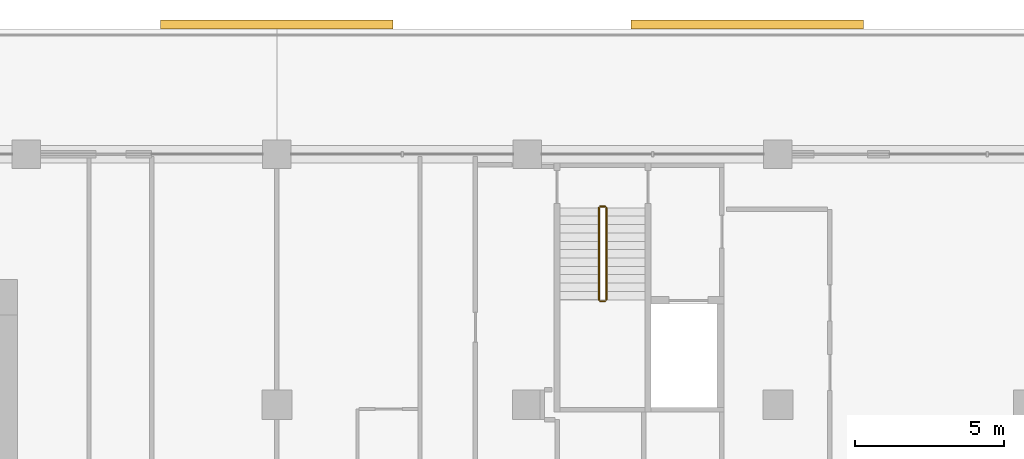
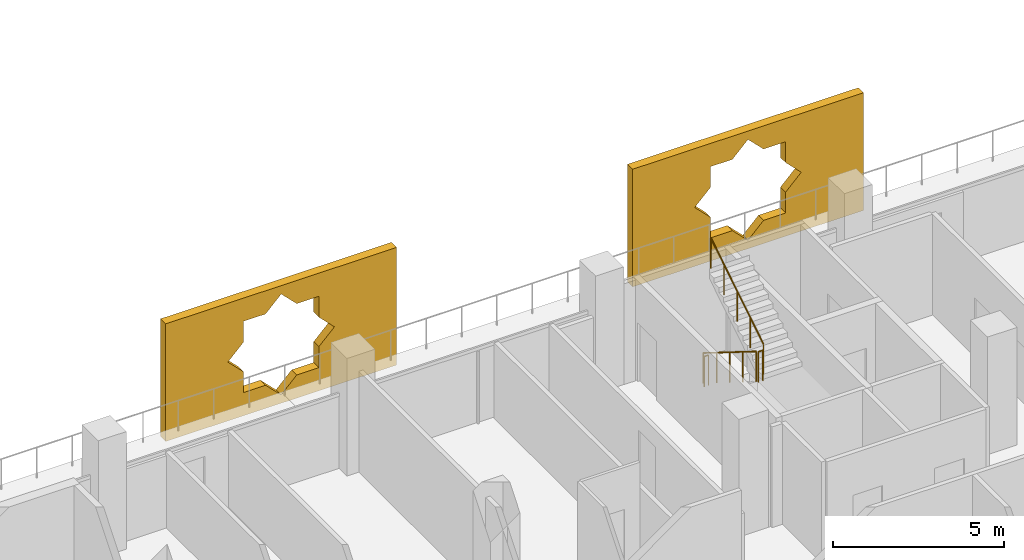
# One storey, part 21 of 22: 4 railings, 2 coverings.
"""IFC4 building model written with IfcOpenShell, lengths in metres."""

from ifc_helpers import new_model, si_unit, direction, frame, origin, origin_2d, place, context, subcontext, project, spatial, polyline, circle, outline, extrude, material, material_profile, profile_set, type_object, element, save


model = new_model("IFC4")

# Units and contexts
model_context = context("Model", 3, precision=1e-05, world=origin(), true_north=direction((0.0, 1.0)))
body_context = subcontext(model_context, "Body", "Model", "MODEL_VIEW")
ifc_project = project(units=[si_unit("LENGTHUNIT", "METRE"), si_unit("AREAUNIT", "SQUARE_METRE"), si_unit("VOLUMEUNIT", "CUBIC_METRE"), si_unit("PLANEANGLEUNIT", "RADIAN"), si_unit("MASSUNIT", "GRAM", prefix="KILO")], contexts=[model_context])

# Site, building, storey
site_placement = place(None, origin())
site = spatial("IfcSite", under=ifc_project, at=site_placement, CompositionType="ELEMENT")
building_placement = place(site_placement, origin())
building = spatial("IfcBuilding", under=site, at=building_placement, Name="Kawkab Arch Medical Tower", CompositionType="ELEMENT")
storey_placement = place(building_placement, frame((0.0, 0.0, 171.0)))
storey = spatial("IfcBuildingStorey", under=building, at=storey_placement, Name="L39", CompositionType="ELEMENT", Elevation=171.0)

# Coverings
ifc_material_1 = material(Name="Bronze anodised aluminium mashrabiya panel, eight-point star pattern", Category="aluminium")
ifc_material_profile = material_profile(ifc_material_1, outline(polyline([(-3.89990234375, -2.10009765625), (3.89990234375, -2.10009765625), (3.89990234375, 2.10009765625), (-3.89990234375, 2.10009765625), (-3.89990234375, -2.10009765625)]), holes=[polyline([(1.800048828125, 0.0), (1.272705078125, 0.527099609375), (1.272705078125, 1.272705078125), (0.527099609375, 1.272705078125), (0.0, 1.800048828125), (-0.527099609375, 1.272705078125), (-1.272705078125, 1.272705078125), (-1.272705078125, 0.527099609375), (-1.800048828125, 0.0), (-1.272705078125, -0.527099609375), (-1.272705078125, -1.272705078125), (-0.527099609375, -1.272705078125), (0.0, -1.800048828125), (0.527099609375, -1.272705078125), (1.272705078125, -1.272705078125), (1.272705078125, -0.527099609375), (1.800048828125, 0.0)])]), Name="Mashrabiya panel 7800x4200")
ifc_profile_set = profile_set([ifc_material_profile], Name="Bronze anodised aluminium mashrabiya panel, eight-point star pattern")
covering_type = type_object("IfcCoveringType", Name="Mashrabiya panel 7800 x 4200", PredefinedType="USERDEFINED", material=ifc_profile_set)
for number, where, z_axis, x_axis, name in (
    (1, (33.60009765625, 4.199951171875, 1.699951171875), (0.0, 1.0, 0.0), (-1.0, 0.0, 0.0), "Mashrabiya panel L39.LOG-01-01.5"),
    (2, (49.36865234375, 4.199951171875, 1.699951171875), (0.0, 1.0, 0.0), (-1.0, 0.0, 0.0), "Mashrabiya panel L39.LOG-01-01.6"),
):
    element("IfcCovering", number, at=place(storey_placement, frame(where, z_axis=z_axis, x_axis=x_axis)), inside=storey, type_object=covering_type, Name=name, ObjectType="SCREEN", PredefinedType="USERDEFINED", context=body_context, shape_type="SweptSolid", body=[
        extrude(outline(polyline([(-3.89990234375, -2.10009765625), (3.89990234375, -2.10009765625), (3.89990234375, 2.10009765625), (-3.89990234375, 2.10009765625), (-3.89990234375, -2.10009765625)]), holes=[polyline([(1.800048828125, 0.0), (1.272705078125, 0.527099609375), (1.272705078125, 1.272705078125), (0.527099609375, 1.272705078125), (0.0, 1.800048828125), (-0.527099609375, 1.272705078125), (-1.272705078125, 1.272705078125), (-1.272705078125, 0.527099609375), (-1.800048828125, 0.0), (-1.272705078125, -0.527099609375), (-1.272705078125, -1.272705078125), (-0.527099609375, -1.272705078125), (0.0, -1.800048828125), (0.527099609375, -1.272705078125), (1.272705078125, -1.272705078125), (1.272705078125, -0.527099609375), (1.800048828125, 0.0)])]), origin(), (0.0, 0.0, 1.0), 0.300048828125),
    ])

# Railings
ifc_material_2 = material(Name="Stainless steel", Category="steel")
railing_type = type_object("IfcRailingType", Name="Stair guard 1100", PredefinedType="GUARDRAIL", material=ifc_material_2)
railing_1_placement = place(storey_placement, frame((44.39990234375, -1.800048828125, 0.175048828125)))
element("IfcRailing", 3, at=railing_1_placement, inside=storey, type_object=railing_type, Name="L39 ST5 stair guard 1", PredefinedType="GUARDRAIL", context=body_context, shape_type="SweptSolid", body=[
    extrude(circle(Radius=0.02392578125, at=origin_2d()), frame((0.0, 0.0, 1.076171875), z_axis=(0.0, -0.847979421464, 0.530029150871), x_axis=(1.0, 0.0, 0.0)), (0.0, 0.0, 1.0), 3.632080078125),
    extrude(circle(Radius=0.02099609375, at=origin_2d()), origin(), (0.0, 0.0, 1.0), 1.052001953125),
    extrude(circle(Radius=0.02099609375, at=origin_2d()), frame((0.0, -0.77001953125, 0.481201171875)), (0.0, 0.0, 1.0), 1.052001953125),
    extrude(circle(Radius=0.02099609375, at=origin_2d()), frame((0.0, -1.5400390625, 0.96240234375)), (0.0, 0.0, 1.0), 1.052001953125),
    extrude(circle(Radius=0.02099609375, at=origin_2d()), frame((0.0, -2.309814453125, 1.44384765625)), (0.0, 0.0, 1.0), 1.052001953125),
    extrude(circle(Radius=0.02099609375, at=origin_2d()), frame((0.0, -3.079833984375, 1.925048828125)), (0.0, 0.0, 1.0), 1.052001953125),
])
railing_2_placement = place(storey_placement, frame((44.449951171875, -4.929931640625, 2.10009765625)))
element("IfcRailing", 4, at=railing_2_placement, inside=storey, type_object=railing_type, Name="L39 ST5 stair guard 2", PredefinedType="GUARDRAIL", context=body_context, shape_type="SweptSolid", body=[
    extrude(circle(Radius=0.02392578125, at=origin_2d()), frame((0.0, 0.0, 1.076171875), z_axis=(1.0, 0.0, 0.0), x_axis=(0.0, 1.0, 0.0)), (0.0, 0.0, 1.0), 0.150146484375),
    extrude(circle(Radius=0.02099609375, at=origin_2d()), origin(), (0.0, 0.0, 1.0), 1.052001953125),
    extrude(circle(Radius=0.02099609375, at=origin_2d()), frame((0.150146484375, 0.0, 0.0)), (0.0, 0.0, 1.0), 1.052001953125),
])
railing_3_placement = place(storey_placement, frame((44.64990234375, -4.8798828125, 2.27490234375)))
element("IfcRailing", 5, at=railing_3_placement, inside=storey, type_object=railing_type, Name="L39 ST5 stair guard 3", PredefinedType="GUARDRAIL", context=body_context, shape_type="SweptSolid", body=[
    extrude(circle(Radius=0.02392578125, at=origin_2d()), frame((0.0, 0.0, 1.076171875), z_axis=(0.0, 0.847979421464, 0.530029150871), x_axis=(-1.0, 0.0, 0.0)), (0.0, 0.0, 1.0), 3.632080078125),
    extrude(circle(Radius=0.02099609375, at=origin_2d()), origin(), (0.0, 0.0, 1.0), 1.052001953125),
    extrude(circle(Radius=0.02099609375, at=origin_2d()), frame((0.0, 0.77001953125, 0.481201171875)), (0.0, 0.0, 1.0), 1.052001953125),
    extrude(circle(Radius=0.02099609375, at=origin_2d()), frame((0.0, 1.5400390625, 0.96240234375)), (0.0, 0.0, 1.0), 1.052001953125),
    extrude(circle(Radius=0.02099609375, at=origin_2d()), frame((0.0, 2.309814453125, 1.44384765625)), (0.0, 0.0, 1.0), 1.052001953125),
    extrude(circle(Radius=0.02099609375, at=origin_2d()), frame((0.0, 3.079833984375, 1.925048828125)), (0.0, 0.0, 1.0), 1.052001953125),
])
railing_4_placement = place(storey_placement, frame((44.449951171875, -1.75, 0.0)))
element("IfcRailing", 6, at=railing_4_placement, inside=storey, type_object=railing_type, Name="L39 ST5 stair guard 4", PredefinedType="GUARDRAIL", context=body_context, shape_type="SweptSolid", body=[
    extrude(circle(Radius=0.02392578125, at=origin_2d()), frame((0.0, 0.0, 1.076171875), z_axis=(1.0, 0.0, 0.0), x_axis=(0.0, 1.0, 0.0)), (0.0, 0.0, 1.0), 0.150146484375),
    extrude(circle(Radius=0.02099609375, at=origin_2d()), origin(), (0.0, 0.0, 1.0), 1.052001953125),
    extrude(circle(Radius=0.02099609375, at=origin_2d()), frame((0.150146484375, 0.0, 0.0)), (0.0, 0.0, 1.0), 1.052001953125),
])

save(model, "model.ifc")
